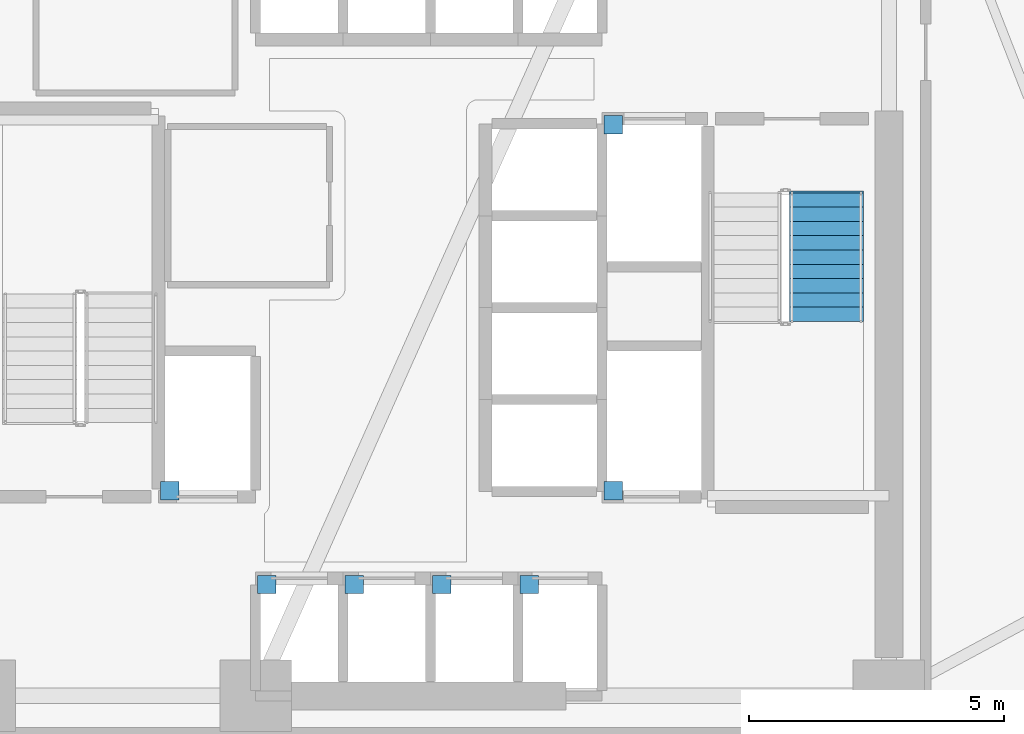
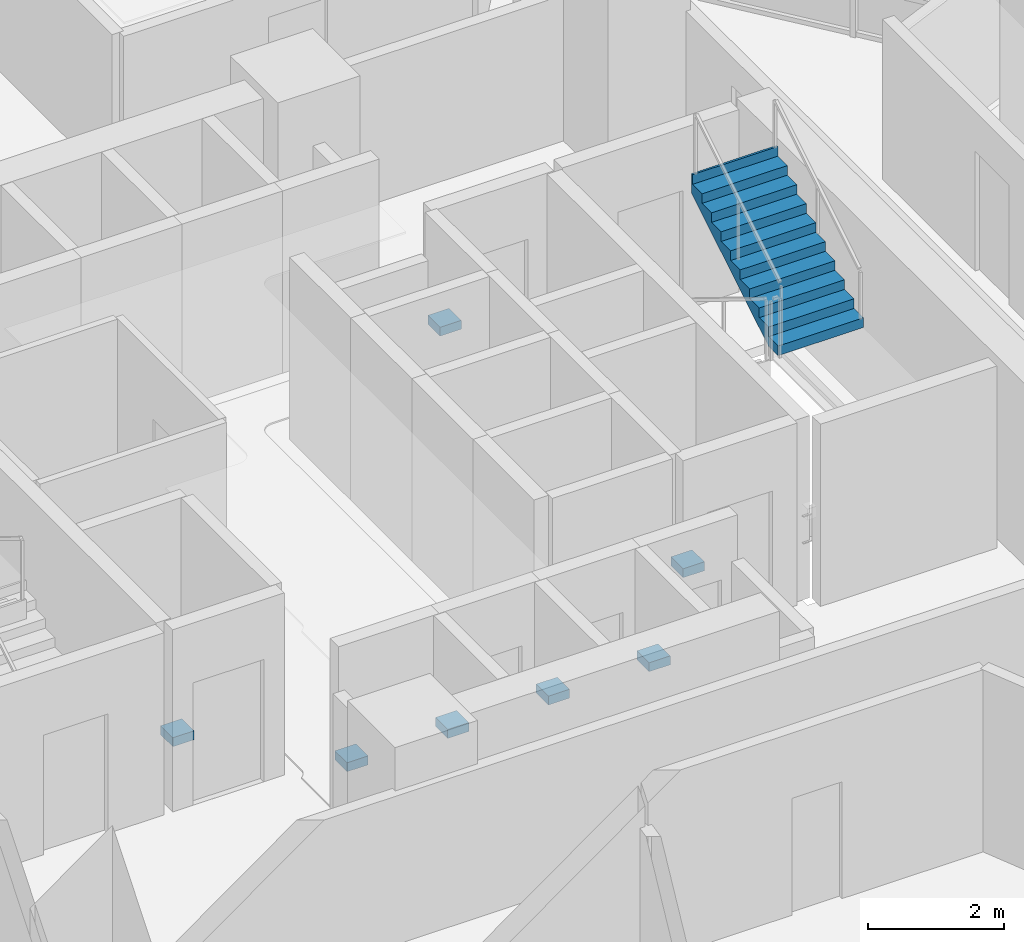
# One storey, part 10 of 15: 7 discrete accessories, 1 stair flight, 1 element without a shape of its own.
"""IFC4 building model written with IfcOpenShell, lengths in metres."""

from ifc_helpers import new_model, si_unit, direction, frame, origin, origin_2d, place, context, subcontext, project, spatial, polyline, rectangle, outline, extrude, material, type_object, element, aggregate, save


model = new_model("IFC4")

# Units and contexts
model_context = context("Model", 3, precision=1e-05, world=origin(), true_north=direction((0.0, 1.0)))
body_context = subcontext(model_context, "Body", "Model", "MODEL_VIEW")
ifc_project = project(units=[si_unit("LENGTHUNIT", "METRE"), si_unit("AREAUNIT", "SQUARE_METRE"), si_unit("VOLUMEUNIT", "CUBIC_METRE"), si_unit("PLANEANGLEUNIT", "RADIAN"), si_unit("MASSUNIT", "GRAM", prefix="KILO")], contexts=[model_context])

# Site, building, storey
site_placement = place(None, origin())
site = spatial("IfcSite", under=ifc_project, at=site_placement, CompositionType="ELEMENT")
building_placement = place(site_placement, origin())
building = spatial("IfcBuilding", under=site, at=building_placement, Name="Tharavind Bronze Gate", CompositionType="ELEMENT")
storey_placement = place(building_placement, frame((0.0, 0.0, 74.199951171875)))
storey = spatial("IfcBuildingStorey", under=building, at=storey_placement, Name="L18", CompositionType="ELEMENT", Elevation=74.199951171875)

# Stair, stair flight
ifc_material_1 = material(Name="Concrete C40/50", Category="concrete")
stair_type = type_object("IfcStairType", Name="CORE HALF TURN STAIR 1450", PredefinedType="HALF_TURN_STAIR", material=ifc_material_1)
stair_placement = place(storey_placement, origin())
stair = element("IfcStair", 1, at=stair_placement, inside=storey, type_object=stair_type, Name="L18 Protected Exit Stair ST2", PredefinedType="HALF_TURN_STAIR")
stair_flight_type = type_object("IfcStairFlightType", Name="CORE STAIR FLIGHT 1450", PredefinedType="STRAIGHT", material=ifc_material_1)
stair_flight_placement = place(storey_placement, frame((7.675048828125, -0.27001953125, 1.72509765625), z_axis=(0.0, 0.0, 1.0), x_axis=(0.0, 1.0, 0.0)))
stair_flight = element("IfcStairFlight", 2, at=stair_flight_placement, type_object=stair_flight_type, Name="ST2 flight 2", NumberOfRisers=10, NumberOfTreads=9, PredefinedType="STRAIGHT", RiserHeight=0.1725, TreadLength=0.28, context=body_context, shape_type="SweptSolid", body=[
    extrude(outline(polyline([(0.0, 0.0), (0.0, 0.172607421875), (0.280029296875, 0.172607421875), (0.280029296875, 0.344970703125), (0.56005859375, 0.344970703125), (0.56005859375, 0.517578125), (0.840087890625, 0.517578125), (0.840087890625, 0.68994140625), (1.1201171875, 0.68994140625), (1.1201171875, 0.862548828125), (1.39990234375, 0.862548828125), (1.39990234375, 1.034912109375), (1.679931640625, 1.034912109375), (1.679931640625, 1.20751953125), (1.9599609375, 1.20751953125), (1.9599609375, 1.3798828125), (2.239990234375, 1.3798828125), (2.239990234375, 1.552490234375), (2.52001953125, 1.552490234375), (2.52001953125, 1.72509765625), (2.555908203125, 1.72509765625), (2.555908203125, 1.37646484375), (0.285888671875, 0.0), (0.0, 0.0)])), frame((0.0, 0.72509765625, 0.0), z_axis=(0.0, -1.0, 0.0), x_axis=(1.0, 0.0, 0.0)), (0.0, 0.0, 1.0), 1.449951171875),
])
aggregate(stair, [stair_flight])

# Discrete accessories
ifc_material_2 = material(Name="Galvanised Steel S355", Category="steel")
discrete_accessory_type = type_object("IfcDiscreteAccessoryType", Name="LIFT GUIDE RAIL BRACKET", PredefinedType="BRACKET", material=ifc_material_2)
for number, where, z_axis, x_axis, name in (
    (3, (-3.280029296875, -5.419921875, 1.1201171875), (0.0, 0.0, 1.0), (1.0, 0.0, 0.0), "Lift PL1 guide rail bracket at L18"),
    (4, (-1.5673828125, -5.419921875, 1.1201171875), (0.0, 0.0, 1.0), (1.0, 0.0, 0.0), "Lift PL2 guide rail bracket at L18"),
    (5, (0.14501953125, -5.419921875, 1.1201171875), (0.0, 0.0, 1.0), (1.0, 0.0, 0.0), "Lift PL3 guide rail bracket at L18"),
    (6, (1.857421875, -5.419921875, 1.1201171875), (0.0, 0.0, 1.0), (1.0, 0.0, 0.0), "Lift PL4 guide rail bracket at L18"),
    (7, (-5.179931640625, -3.580078125, 1.1201171875), (0.0, 0.0, 1.0), (1.0, 0.0, 0.0), "Lift FFL1 guide rail bracket at L18"),
    (8, (3.5, 3.580078125, 1.1201171875), (0.0, 0.0, 1.0), (1.0, 0.0, 0.0), "Lift FFL2 guide rail bracket at L18"),
    (9, (3.5, -3.580078125, 1.1201171875), (0.0, 0.0, 1.0), (1.0, 0.0, 0.0), "Lift SVL1 guide rail bracket at L18"),
):
    element("IfcDiscreteAccessory", number, at=place(storey_placement, frame(where, z_axis=z_axis, x_axis=x_axis)), inside=storey, type_object=discrete_accessory_type, Name=name, PredefinedType="BRACKET", context=body_context, shape_type="SweptSolid", body=[
        extrude(rectangle(XDim=0.360107421875, YDim=0.360107421875, at=origin_2d()), origin(), (0.0, 0.0, 1.0), 0.159912109375),
    ])

save(model, "model.ifc")
